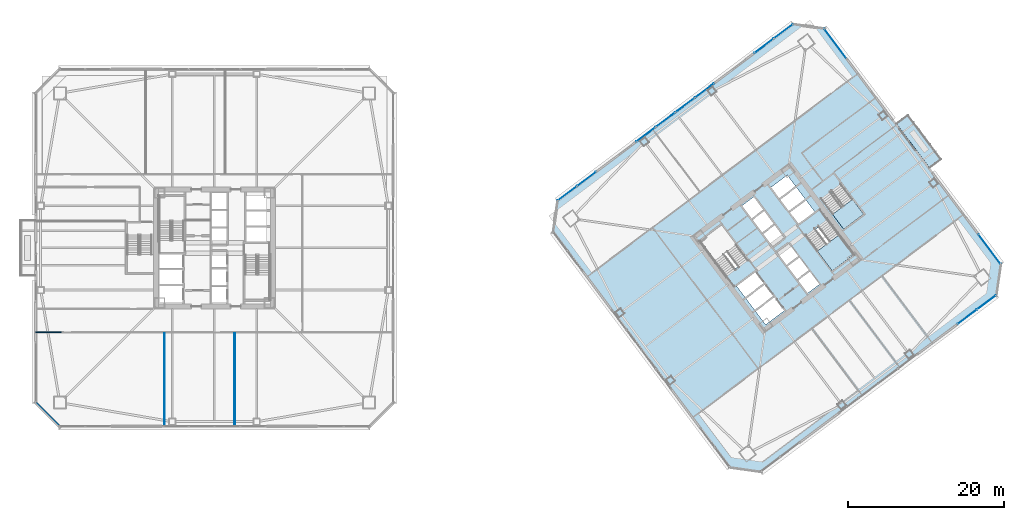
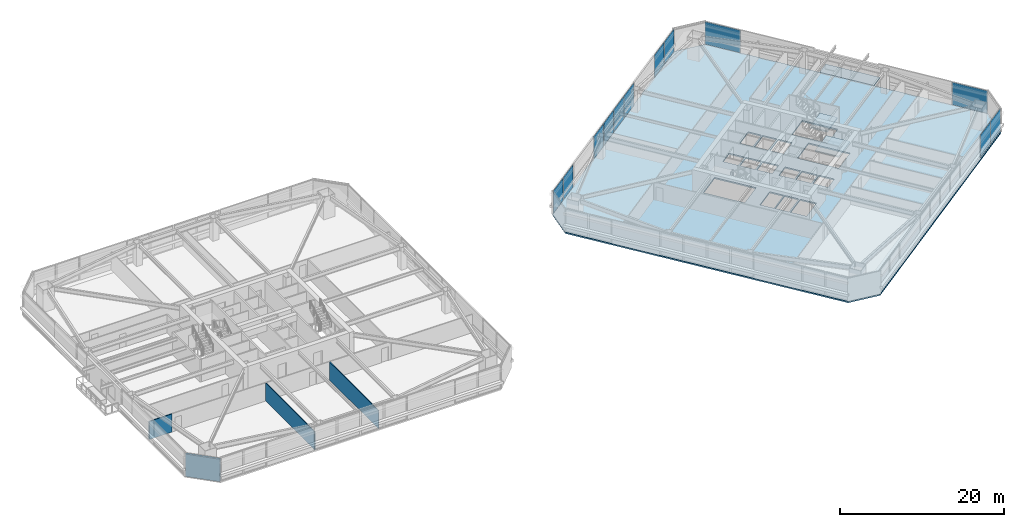
# One storey, part 34 of 47: 12 plates, 4 slabs, 4 walls, 8 elements without a shape of their own.
"""IFC4 building model written with IfcOpenShell, lengths in metres."""

from ifc_helpers import new_model, si_unit, direction, frame, frame_2d, origin, origin_2d, place, context, subcontext, project, spatial, polyline, rectangle, outline, extrude, material, layer, layer_set, type_object, element, aggregate, save


model = new_model("IFC4")

# Units and contexts
model_context = context("Model", 3, precision=1e-05, world=origin(), true_north=direction((0.0, 1.0)))
body_context = subcontext(model_context, "Body", "Model", "MODEL_VIEW")
ifc_project = project(units=[si_unit("LENGTHUNIT", "METRE"), si_unit("AREAUNIT", "SQUARE_METRE"), si_unit("VOLUMEUNIT", "CUBIC_METRE"), si_unit("PLANEANGLEUNIT", "RADIAN"), si_unit("MASSUNIT", "GRAM", prefix="KILO")], contexts=[model_context])

# Site, building, storey
site_placement = place(None, origin())
site = spatial("IfcSite", under=ifc_project, at=site_placement, CompositionType="ELEMENT")
building_placement = place(site_placement, origin())
building = spatial("IfcBuilding", under=site, at=building_placement, Name="Tashvorn Skyway Center", CompositionType="ELEMENT")
storey_placement = place(building_placement, frame((0.0, 0.0, 42.35009765625)))
storey = spatial("IfcBuildingStorey", under=building, at=storey_placement, Name="L10", CompositionType="ELEMENT", Elevation=42.35009765625)

# Curtain wall, plates
ifc_material_1 = material(Name="Thermally broken bronze-anodized aluminium 6063-T6", Category="aluminium")
curtain_wall_type = type_object("IfcCurtainWallType", Name="CW-CW-Z1", PredefinedType="NOTDEFINED", material=ifc_material_1)
curtain_wall_1_placement = place(storey_placement, origin())
curtain_wall_1 = element("IfcCurtainWall", 1, at=curtain_wall_1_placement, inside=storey, type_object=curtain_wall_type, Name="Tower 2 L10 South Unitised Curtain Wall Glazing Group 1", PredefinedType="NOTDEFINED")
ifc_material_2 = material(Name="Low-E solar-control double insulating safety glass", Category="glass")
ifc_layer_1 = layer(ifc_material_2, 0.048095703125)
ifc_layer_set_1 = layer_set([ifc_layer_1], Name="Low-E solar-control double insulating safety glass")
plate_type = type_object("IfcPlateType", Name="CWP-CW-Z1", PredefinedType="CURTAIN_PANEL", material=ifc_layer_set_1)
plate_1_placement = place(storey_placement, frame((140.83642578125, 25.02734375, 0.0849609375), z_axis=(0.0, 0.0, 1.0), x_axis=(-0.800001906763, -0.599997457641, 0.0)))
plate_1 = element("IfcPlate", 2, at=plate_1_placement, type_object=plate_type, Name="CW-Z1 panel 1.1", PredefinedType="CURTAIN_PANEL", context=body_context, shape_type="SweptSolid", body=[
    extrude(rectangle(XDim=3.019287109375, YDim=0.048095703125, at=origin_2d()), origin(), (0.0, 0.0, 1.0), 3.3798828125),
])
plate_2_placement = place(storey_placement, frame((138.35302734375, 23.164794921875, 0.0849609375), z_axis=(0.0, 0.0, 1.0), x_axis=(-0.800001906763, -0.599997457641, 0.0)))
plate_2 = element("IfcPlate", 3, at=plate_2_placement, type_object=plate_type, Name="CW-Z1 panel 2.1", PredefinedType="CURTAIN_PANEL", context=body_context, shape_type="SweptSolid", body=[
    extrude(rectangle(XDim=3.019287109375, YDim=0.048095703125, at=origin_2d()), origin(), (0.0, 0.0, 1.0), 3.3798828125),
])
aggregate(curtain_wall_1, [plate_1, plate_2])

curtain_wall_2_placement = place(storey_placement, origin())
curtain_wall_2 = element("IfcCurtainWall", 4, at=curtain_wall_2_placement, inside=storey, type_object=curtain_wall_type, Name="Tower 2 L10 North Unitised Curtain Wall Glazing Group 1", PredefinedType="NOTDEFINED")
plate_3_placement = place(storey_placement, frame((87.16357421875, 38.97265625, 0.0849609375), z_axis=(0.0, 0.0, 1.0), x_axis=(0.800001906763, 0.599997457641, 0.0)))
plate_3 = element("IfcPlate", 5, at=plate_3_placement, type_object=plate_type, Name="CW-Z1 panel 1.1", PredefinedType="CURTAIN_PANEL", context=body_context, shape_type="SweptSolid", body=[
    extrude(rectangle(XDim=3.019287109375, YDim=0.048095703125, at=origin_2d()), origin(), (0.0, 0.0, 1.0), 3.3798828125),
])
plate_4_placement = place(storey_placement, frame((89.64697265625, 40.835205078125, 0.0849609375), z_axis=(0.0, 0.0, 1.0), x_axis=(0.800001906763, 0.599997457641, 0.0)))
plate_4 = element("IfcPlate", 6, at=plate_4_placement, type_object=plate_type, Name="CW-Z1 panel 2.1", PredefinedType="CURTAIN_PANEL", context=body_context, shape_type="SweptSolid", body=[
    extrude(rectangle(XDim=3.019287109375, YDim=0.048095703125, at=origin_2d()), origin(), (0.0, 0.0, 1.0), 3.3798828125),
])
aggregate(curtain_wall_2, [plate_3, plate_4])

curtain_wall_3_placement = place(storey_placement, origin())
curtain_wall_3 = element("IfcCurtainWall", 7, at=curtain_wall_3_placement, inside=storey, type_object=curtain_wall_type, Name="Tower 2 L10 North Unitised Curtain Wall Glazing Group 2", PredefinedType="NOTDEFINED")
plate_5_placement = place(storey_placement, frame((97.23291015625, 46.524658203125, 0.0849609375), z_axis=(0.0, 0.0, 1.0), x_axis=(0.800001906763, 0.599997457641, 0.0)))
plate_5 = element("IfcPlate", 8, at=plate_5_placement, type_object=plate_type, Name="CW-Z1 panel 1.1", PredefinedType="CURTAIN_PANEL", context=body_context, shape_type="SweptSolid", body=[
    extrude(rectangle(XDim=3.019287109375, YDim=0.048095703125, at=origin_2d()), origin(), (0.0, 0.0, 1.0), 3.3798828125),
])
plate_6_placement = place(storey_placement, frame((99.7333984375, 48.39990234375, 0.0849609375), z_axis=(0.0, 0.0, 1.0), x_axis=(0.800001906763, 0.599997457641, 0.0)))
plate_6 = element("IfcPlate", 9, at=plate_6_placement, type_object=plate_type, Name="CW-Z1 panel 2.1", PredefinedType="CURTAIN_PANEL", context=body_context, shape_type="SweptSolid", body=[
    extrude(rectangle(XDim=3.061767578125, YDim=0.048095703125, at=origin_2d()), origin(), (0.0, 0.0, 1.0), 3.3798828125),
])
plate_7_placement = place(storey_placement, frame((102.250732421875, 50.2880859375, 0.0849609375), z_axis=(0.0, 0.0, 1.0), x_axis=(0.800001906763, 0.599997457641, 0.0)))
plate_7 = element("IfcPlate", 10, at=plate_7_placement, type_object=plate_type, Name="CW-Z1 panel 3.1", PredefinedType="CURTAIN_PANEL", context=body_context, shape_type="SweptSolid", body=[
    extrude(rectangle(XDim=3.061767578125, YDim=0.048095703125, at=origin_2d()), origin(), (0.0, 0.0, 1.0), 3.3798828125),
])
plate_8_placement = place(storey_placement, frame((104.7509765625, 52.163330078125, 0.0849609375), z_axis=(0.0, 0.0, 1.0), x_axis=(0.800001906763, 0.599997457641, 0.0)))
plate_8 = element("IfcPlate", 11, at=plate_8_placement, type_object=plate_type, Name="CW-Z1 panel 4.1", PredefinedType="CURTAIN_PANEL", context=body_context, shape_type="SweptSolid", body=[
    extrude(rectangle(XDim=3.019287109375, YDim=0.048095703125, at=origin_2d()), origin(), (0.0, 0.0, 1.0), 3.3798828125),
])
aggregate(curtain_wall_3, [plate_5, plate_6, plate_7, plate_8])

curtain_wall_4_placement = place(storey_placement, origin())
curtain_wall_4 = element("IfcCurtainWall", 12, at=curtain_wall_4_placement, inside=storey, type_object=curtain_wall_type, Name="Tower 2 L10 North Unitised Curtain Wall Glazing Group 3", PredefinedType="NOTDEFINED")
plate_9_placement = place(storey_placement, frame((112.3369140625, 57.852783203125, 0.0849609375), z_axis=(0.0, 0.0, 1.0), x_axis=(0.800001906763, 0.599997457641, 0.0)))
plate_9 = element("IfcPlate", 13, at=plate_9_placement, type_object=plate_type, Name="CW-Z1 panel 1.1", PredefinedType="CURTAIN_PANEL", context=body_context, shape_type="SweptSolid", body=[
    extrude(rectangle(XDim=3.019287109375, YDim=0.048095703125, at=origin_2d()), origin(), (0.0, 0.0, 1.0), 3.3798828125),
])
plate_10_placement = place(storey_placement, frame((114.8203125, 59.71533203125, 0.0849609375), z_axis=(0.0, 0.0, 1.0), x_axis=(0.800001906763, 0.599997457641, 0.0)))
plate_10 = element("IfcPlate", 14, at=plate_10_placement, type_object=plate_type, Name="CW-Z1 panel 2.1", PredefinedType="CURTAIN_PANEL", context=body_context, shape_type="SweptSolid", body=[
    extrude(rectangle(XDim=3.019287109375, YDim=0.048095703125, at=origin_2d()), origin(), (0.0, 0.0, 1.0), 3.3798828125),
])
aggregate(curtain_wall_4, [plate_9, plate_10])

# Curtain wall, plate
curtain_wall_5_placement = place(storey_placement, origin())
curtain_wall_5 = element("IfcCurtainWall", 15, at=curtain_wall_5_placement, inside=storey, type_object=curtain_wall_type, Name="Tower 2 L10 East Curtain Wall L Glazing Group 1", PredefinedType="NOTDEFINED")
plate_11_placement = place(storey_placement, frame((121.47900390625, 58.161376953125, 0.0849609375), z_axis=(0.0, 0.0, 1.0), x_axis=(0.600003280937, -0.799997539287, 0.0)))
plate_11 = element("IfcPlate", 16, at=plate_11_placement, type_object=plate_type, Name="CW-Z1 panel 1.1", PredefinedType="CURTAIN_PANEL", context=body_context, shape_type="SweptSolid", body=[
    extrude(rectangle(XDim=4.70654296875, YDim=0.048095703125, at=origin_2d()), origin(), (0.0, 0.0, 1.0), 3.3798828125),
])
aggregate(curtain_wall_5, [plate_11])

curtain_wall_6_placement = place(storey_placement, origin())
curtain_wall_6 = element("IfcCurtainWall", 17, at=curtain_wall_6_placement, inside=storey, type_object=curtain_wall_type, Name="Tower 2 L10 East Curtain Wall R Glazing Group 1", PredefinedType="NOTDEFINED")
plate_12_placement = place(storey_placement, frame((141.208984375, 31.854736328125, 0.0849609375), z_axis=(0.0, 0.0, 1.0), x_axis=(0.600003280937, -0.799997539287, 0.0)))
plate_12 = element("IfcPlate", 18, at=plate_12_placement, type_object=plate_type, Name="CW-Z1 panel 1.1", PredefinedType="CURTAIN_PANEL", context=body_context, shape_type="SweptSolid", body=[
    extrude(rectangle(XDim=4.70654296875, YDim=0.048095703125, at=origin_2d()), origin(), (0.0, 0.0, 1.0), 3.3798828125),
])
aggregate(curtain_wall_6, [plate_12])

# Slab
ifc_material_3 = material(Name="Concrete C40/50", Category="concrete")
ifc_layer_2 = layer(ifc_material_3, 0.199951171875)
ifc_layer_set_2 = layer_set([ifc_layer_2], Name="Concrete C40/50")
slab_type_1 = type_object("IfcSlabType", Name="SLAB-FLR-200", PredefinedType="FLOOR", material=ifc_layer_set_2)
slab_1_placement = place(storey_placement, frame((0.0, 0.0, -0.2001953125)))
element("IfcSlab", 19, at=slab_1_placement, inside=storey, type_object=slab_type_1, Name="Tower 2 L10 Composite Floor Slab", PredefinedType="FLOOR", context=body_context, shape_type="SweptSolid", body=[
    extrude(outline(polyline([(112.0400390625, 3.280029296875), (142.1201171875, 25.840087890625), (142.719970703125, 30.0400390625), (120.159912109375, 60.1201171875), (115.9599609375, 60.719970703125), (85.8798828125, 38.159912109375), (85.280029296875, 33.9599609375), (107.840087890625, 3.8798828125), (112.0400390625, 3.280029296875)]), holes=[polyline([(110.23193359375, 30.52392578125), (106.919921875, 34.93994140625), (104.135986328125, 32.85205078125), (107.447998046875, 28.43603515625), (110.23193359375, 30.52392578125)]), polyline([(117.76806640625, 33.47607421875), (121.080078125, 29.06005859375), (123.864013671875, 31.14794921875), (120.552001953125, 35.56396484375), (117.76806640625, 33.47607421875)]), polyline([(119.7119140625, 38.18408203125), (122.5439453125, 34.407958984375), (125.10400390625, 36.327880859375), (122.27197265625, 40.10400390625), (119.7119140625, 38.18408203125)]), polyline([(109.949951171875, 25.64990234375), (112.35009765625, 27.449951171875), (111.239990234375, 28.929931640625), (108.840087890625, 27.1298828125), (109.949951171875, 25.64990234375)]), polyline([(111.14990234375, 24.050048828125), (113.550048828125, 25.85009765625), (112.43994140625, 27.330078125), (110.0400390625, 25.530029296875), (111.14990234375, 24.050048828125)]), polyline([(112.56005859375, 22.169921875), (114.9599609375, 23.969970703125), (113.669921875, 25.68994140625), (111.27001953125, 23.889892578125), (112.56005859375, 22.169921875)]), polyline([(117.919921875, 26.18994140625), (119.43994140625, 27.330078125), (118.2099609375, 28.969970703125), (116.68994140625, 27.830078125), (117.919921875, 26.18994140625)]), polyline([(116.570068359375, 27.989990234375), (118.090087890625, 29.1298828125), (116.860107421875, 30.77001953125), (115.340087890625, 29.6298828125), (116.570068359375, 27.989990234375)]), polyline([(115.219970703125, 29.7900390625), (116.739990234375, 30.929931640625), (115.510009765625, 32.570068359375), (113.989990234375, 31.429931640625), (115.219970703125, 29.7900390625)]), polyline([(113.449951171875, 32.14990234375), (114.969970703125, 33.2900390625), (113.739990234375, 34.929931640625), (112.219970703125, 33.7900390625), (113.449951171875, 32.14990234375)]), polyline([(112.10009765625, 33.949951171875), (113.6201171875, 35.090087890625), (112.389892578125, 36.72998046875), (110.8701171875, 35.590087890625), (112.10009765625, 33.949951171875)]), polyline([(110.75, 35.75), (112.27001953125, 36.889892578125), (111.0400390625, 38.530029296875), (109.52001953125, 37.389892578125), (110.75, 35.75)]), polyline([(116.760009765625, 35.070068359375), (118.840087890625, 36.6298828125), (117.72998046875, 38.110107421875), (115.64990234375, 36.550048828125), (116.760009765625, 35.070068359375)]), polyline([(115.530029296875, 36.7099609375), (117.610107421875, 38.27001953125), (116.5, 39.75), (114.419921875, 38.18994140625), (115.530029296875, 36.7099609375)]), polyline([(114.300048828125, 38.35009765625), (116.3798828125, 39.909912109375), (115.330078125, 41.31005859375), (113.25, 39.75), (114.300048828125, 38.35009765625)])]), origin(), (0.0, 0.0, 1.0), 0.2001953125),
])

# Stair, slab
stair_type = type_object("IfcStairType", Name="STAIR-CORE-1500", PredefinedType="HALF_TURN_STAIR", material=ifc_material_3)
stair_1_placement = place(storey_placement, origin())
stair_1 = element("IfcStair", 20, at=stair_1_placement, inside=storey, type_object=stair_type, Name="L10 Tower 2 Exit Stair 2", PredefinedType="HALF_TURN_STAIR")
ifc_layer_3 = layer(ifc_material_3, 0.199951171875)
ifc_layer_set_3 = layer_set([ifc_layer_3], Name="Concrete C40/50")
slab_type_2 = type_object("IfcSlabType", Name="SLAB-LAND-200", PredefinedType="LANDING", material=ifc_layer_set_3)
slab_2_placement = place(storey_placement, frame((0.0, 0.0, 1.574951171875)))
slab_2 = element("IfcSlab", 21, at=slab_2_placement, type_object=slab_type_2, Name="ST-T2-2 landing 1", PredefinedType="LANDING", context=body_context, shape_type="SweptSolid", body=[
    extrude(outline(polyline([(119.17919921875, 31.594482421875), (121.080078125, 29.06005859375), (123.864013671875, 31.14794921875), (121.963134765625, 33.682373046875), (119.17919921875, 31.594482421875)])), origin(), (0.0, 0.0, 1.0), 0.199951171875),
])
aggregate(stair_1, [slab_2])

stair_2_placement = place(storey_placement, origin())
stair_2 = element("IfcStair", 22, at=stair_2_placement, inside=storey, type_object=stair_type, Name="L10 Tower 2 Exit Stair 3", PredefinedType="HALF_TURN_STAIR")
slab_3_placement = place(storey_placement, frame((0.0, 0.0, 1.574951171875)))
slab_3 = element("IfcSlab", 23, at=slab_3_placement, type_object=slab_type_2, Name="ST-T2-3 landing 1", PredefinedType="LANDING", context=body_context, shape_type="SweptSolid", body=[
    extrude(outline(polyline([(121.123291015625, 36.302490234375), (122.5439453125, 34.407958984375), (125.10400390625, 36.327880859375), (123.68310546875, 38.222412109375), (121.123291015625, 36.302490234375)])), origin(), (0.0, 0.0, 1.0), 0.199951171875),
])
aggregate(stair_2, [slab_3])

# Slab
ifc_layer_4 = layer(ifc_material_3, 0.179931640625)
ifc_layer_set_4 = layer_set([ifc_layer_4], Name="Concrete C40/50")
slab_type_3 = type_object("IfcSlabType", Name="SLAB-TERR-200", PredefinedType="FLOOR", material=ifc_layer_set_4)
slab_4_placement = place(storey_placement, frame((0.0, 0.0, -0.2001953125)))
element("IfcSlab", 24, at=slab_4_placement, inside=storey, type_object=slab_type_3, Name="Tower 2 L10 Spiral Planted Terrace Slab", PredefinedType="FLOOR", context=body_context, shape_type="SweptSolid", body=[
    extrude(outline(polyline([(133.592041015625, 42.194091796875), (135.1201171875, 43.340087890625), (130.800048828125, 49.10009765625), (129.27197265625, 47.9541015625), (133.592041015625, 42.194091796875)])), origin(), (0.0, 0.0, 1.0), 0.2001953125),
])

# Walls
ifc_material_4 = material(Name="Precast concrete C40/50", Category="concrete")
ifc_layer_5 = layer(ifc_material_4, 0.280029296875)
ifc_layer_set_5 = layer_set([ifc_layer_5], Name="Precast concrete C40/50")
wall_type_1 = type_object("IfcWallType", Name="WALL-EXT-280", PredefinedType="SOLIDWALL", material=ifc_layer_set_5)
wall_1_placement = place(storey_placement, frame((22.199951171875, 9.10009765625, 0.0), z_axis=(0.0, 0.0, 1.0), x_axis=(-0.707106781187, 0.707106781187, 0.0)))
element("IfcWall", 25, at=wall_1_placement, inside=storey, type_object=wall_type_1, Name="Tower 1 L10 SW Precast Chamfer Wall", PredefinedType="SOLIDWALL", context=body_context, shape_type="SweptSolid", body=[
    extrude(rectangle(XDim=4.3837890625, YDim=0.280029296875, at=frame_2d((2.19189453125, 0.0))), origin(), (0.0, 0.0, 1.0), 3.349853515625),
])
ifc_material_5 = material(Name="Gypsum board on cold-formed steel stud framing", Category="steel")
ifc_layer_6 = layer(ifc_material_5, 0.110107421875)
ifc_layer_set_6 = layer_set([ifc_layer_6], Name="Gypsum board on cold-formed steel stud framing")
wall_type_2 = type_object("IfcWallType", Name="WALL-PART-110", PredefinedType="PARTITIONING", material=ifc_layer_set_6)
for number, where, z_axis, x_axis, name in (
    (26, (35.60009765625, 9.1201171875, 0.0), (0.0, 0.0, 1.0), (0.0, 1.0, 0.0), "Tower 1 L10 South Suite Partition 1"),
    (27, (44.60009765625, 9.1201171875, 0.0), (0.0, 0.0, 1.0), (0.0, 1.0, 0.0), "Tower 1 L10 South Suite Partition 2"),
):
    element("IfcWall", number, at=place(storey_placement, frame(where, z_axis=z_axis, x_axis=x_axis)), inside=storey, type_object=wall_type_2, Name=name, PredefinedType="PARTITIONING", context=body_context, shape_type="SweptSolid", body=[
        extrude(rectangle(XDim=11.97998046875, YDim=0.110107421875, at=frame_2d((5.989990234375, 0.0))), origin(), (0.0, 0.0, 1.0), 2.702880859375),
    ])
ifc_layer_7 = layer(ifc_material_5, 0.135009765625)
ifc_layer_set_7 = layer_set([ifc_layer_7], Name="Gypsum board on cold-formed steel stud framing")
wall_type_3 = type_object("IfcWallType", Name="WALL-PART-135", PredefinedType="PARTITIONING", material=ifc_layer_set_7)
wall_2_placement = place(storey_placement, frame((19.1201171875, 21.179931640625, 0.0), z_axis=(0.0, 0.0, 1.0), x_axis=(1.0, 0.0, 0.0)))
element("IfcWall", 28, at=wall_2_placement, inside=storey, type_object=wall_type_3, Name="Tower 1 L10 South-West Suite North Wall", PredefinedType="PARTITIONING", context=body_context, shape_type="SweptSolid", body=[
    extrude(rectangle(XDim=3.22998046875, YDim=0.135009765625, at=frame_2d((1.614990234375, 0.0))), origin(), (0.0, 0.0, 1.0), 2.702880859375),
])

save(model, "model.ifc")
